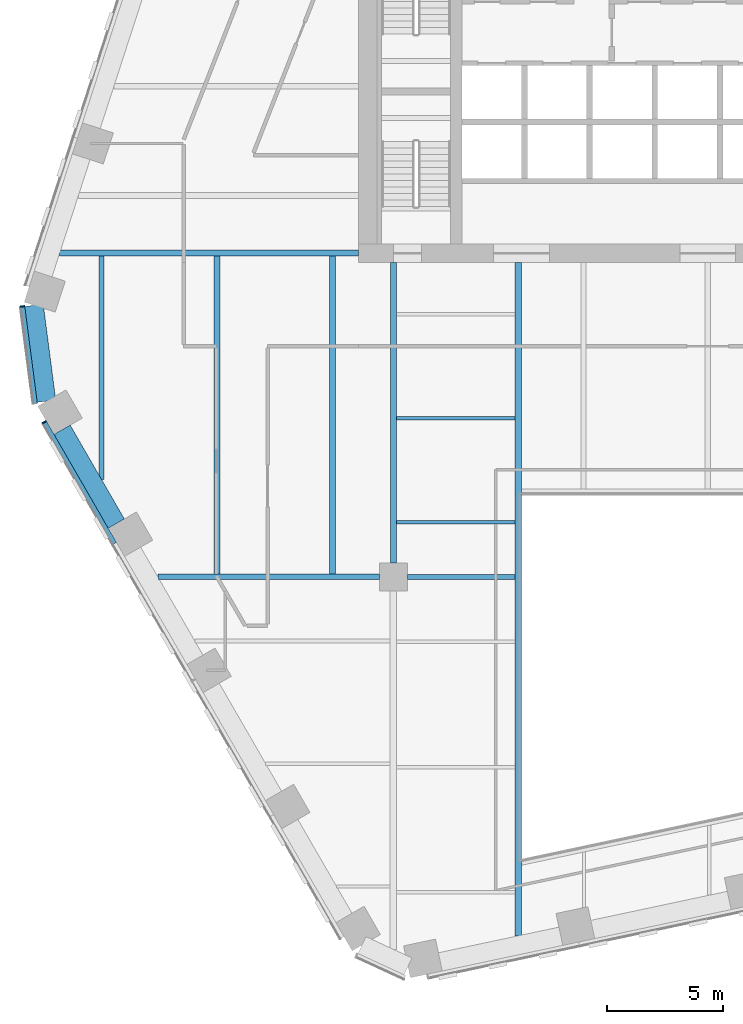
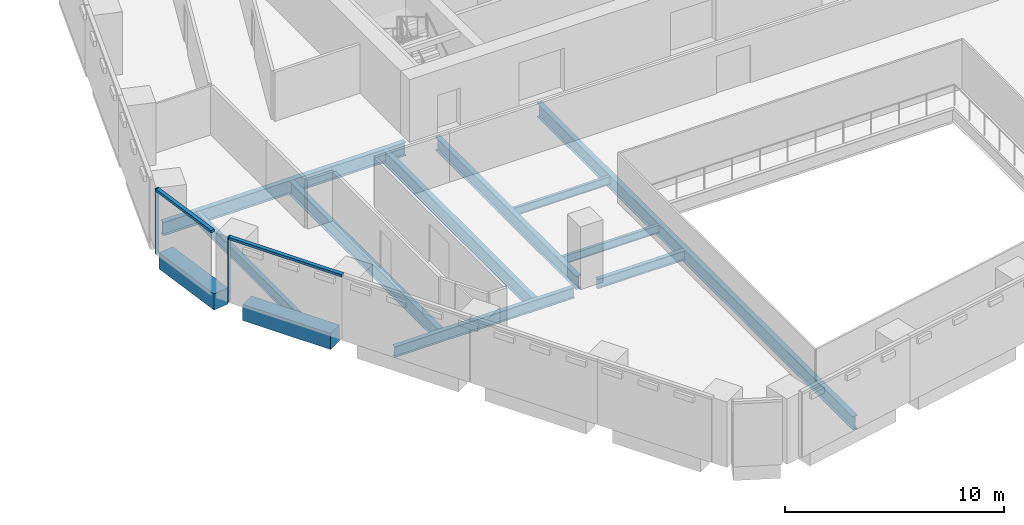
# One storey, part 3 of 17: 12 beams, 4 members, 2 elements without a shape of their own.
"""IFC4 building model written with IfcOpenShell, lengths in metres."""

from ifc_helpers import new_model, si_unit, direction, frame, origin, origin_2d, place, context, subcontext, project, spatial, rectangle, i_section, extrude, material, layer, layer_set, material_profile, profile_set, type_object, element, aggregate, save


model = new_model("IFC4")

# Units and contexts
model_context = context("Model", 3, precision=1e-05, world=origin(), true_north=direction((0.0, 1.0)))
body_context = subcontext(model_context, "Body", "Model", "MODEL_VIEW")
ifc_project = project(units=[si_unit("LENGTHUNIT", "METRE"), si_unit("AREAUNIT", "SQUARE_METRE"), si_unit("VOLUMEUNIT", "CUBIC_METRE"), si_unit("PLANEANGLEUNIT", "RADIAN"), si_unit("MASSUNIT", "GRAM", prefix="KILO")], contexts=[model_context])

# Site, building, storey
site_placement = place(None, origin())
site = spatial("IfcSite", under=ifc_project, at=site_placement, CompositionType="ELEMENT")
building_placement = place(site_placement, origin())
building = spatial("IfcBuilding", under=site, at=building_placement, Name="Isthmus Gate Tower", CompositionType="ELEMENT")
storey_placement = place(building_placement, frame((0.0, 0.0, 126.14990234375)))
storey = spatial("IfcBuildingStorey", under=building, at=storey_placement, Name="L30", CompositionType="ELEMENT", Elevation=126.14990234375)

# Curtain wall, member
ifc_material_1 = material(Name="Aluminium, pale champagne anodised", Category="aluminium")
ifc_layer = layer(ifc_material_1, 0.199951171875)
ifc_layer_set = layer_set([ifc_layer], Name="CW-1 UNITISED CURTAIN WALL 200 DEEP")
curtain_wall_type = type_object("IfcCurtainWallType", Name="CW-1 UNITISED CURTAIN WALL 200 DEEP", PredefinedType="NOTDEFINED", material=ifc_layer_set)
curtain_wall_1_placement = place(storey_placement, origin())
curtain_wall_1 = element("IfcCurtainWall", 1, at=curtain_wall_1_placement, inside=storey, type_object=curtain_wall_type, Name="CW-1 NW-SW L30", PredefinedType="NOTDEFINED")
ifc_material_2 = material(Name="Aluminium, pale champagne anodised", Category="aluminium")
ifc_material_profile_1 = material_profile(ifc_material_2, rectangle(XDim=0.06005859375, YDim=0.199951171875, at=origin_2d()), Name="60x200")
ifc_profile_set_1 = profile_set([ifc_material_profile_1], Name="Aluminium, pale champagne anodised")
member_type_1 = type_object("IfcMemberType", Name="CW-1 MULLION 60 X 200", PredefinedType="MULLION", material=ifc_profile_set_1)
member_1_placement = place(storey_placement, frame((-29.42724609375, -1.88525390625, 0.0), z_axis=(0.0, 0.0, 1.0), x_axis=(0.129164534, -0.991623175988, 0.0)))
member_1 = element("IfcMember", 2, at=member_1_placement, type_object=member_type_1, Name="CW-1 mullion", PredefinedType="MULLION", context=body_context, shape_type="SweptSolid", body=[
    extrude(rectangle(XDim=0.06005859375, YDim=0.199951171875, at=origin_2d()), origin(), (0.0, 0.0, 1.0), 3.650146484375),
])

curtain_wall_2_placement = place(storey_placement, origin())
curtain_wall_2 = element("IfcCurtainWall", 3, at=curtain_wall_2_placement, inside=storey, type_object=curtain_wall_type, Name="CW-1 SW L30", PredefinedType="NOTDEFINED")
member_2_placement = place(storey_placement, frame((-28.489501953125, -6.8544921875, 0.0), z_axis=(0.0, 0.0, 1.0), x_axis=(0.5, -0.866025403784, 0.0)))
member_2 = element("IfcMember", 4, at=member_2_placement, type_object=member_type_1, Name="CW-1 mullion", PredefinedType="MULLION", context=body_context, shape_type="SweptSolid", body=[
    extrude(rectangle(XDim=0.06005859375, YDim=0.199951171875, at=origin_2d()), origin(), (0.0, 0.0, 1.0), 3.650146484375),
])

# Member
ifc_material_3 = material(Name="Aluminium, pale champagne anodised", Category="aluminium")
ifc_material_profile_2 = material_profile(ifc_material_3, rectangle(XDim=0.199951171875, YDim=0.139892578125, at=origin_2d()), Name="200x140")
ifc_profile_set_2 = profile_set([ifc_material_profile_2], Name="Aluminium, pale champagne anodised")
member_type_2 = type_object("IfcMemberType", Name="CW-1 TRANSOM 200 X 140", PredefinedType="USERDEFINED", material=ifc_profile_set_2)
member_3_placement = place(storey_placement, frame((-29.42333984375, -1.9150390625, 3.580078125), z_axis=(0.129149481977, -0.991625136483, 0.0), x_axis=(0.991625136483, 0.129149481977, 0.0)))
member_3 = element("IfcMember", 5, at=member_3_placement, type_object=member_type_2, Name="CW-1 transom", ObjectType="TRANSOM", PredefinedType="USERDEFINED", context=body_context, shape_type="SweptSolid", body=[
    extrude(rectangle(XDim=0.199951171875, YDim=0.139892578125, at=origin_2d()), origin(), (0.0, 0.0, 1.0), 4.181396484375),
])

aggregate(curtain_wall_1, [member_1, member_3])

member_4_placement = place(storey_placement, frame((-28.474609375, -6.880615234375, 3.580078125), z_axis=(0.500014106551, -0.86601725921, 0.0), x_axis=(0.86601725921, 0.500014106551, 0.0)))
member_4 = element("IfcMember", 6, at=member_4_placement, type_object=member_type_2, Name="CW-1 transom", ObjectType="TRANSOM", PredefinedType="USERDEFINED", context=body_context, shape_type="SweptSolid", body=[
    extrude(rectangle(XDim=0.199951171875, YDim=0.139892578125, at=origin_2d()), origin(), (0.0, 0.0, 1.0), 5.989990234375),
])

aggregate(curtain_wall_2, [member_2, member_4])

# Beams
ifc_material_4 = material(Name="Concrete f'c 60 MPa", Category="concrete")
ifc_material_profile_3 = material_profile(ifc_material_4, rectangle(XDim=0.800048828125, YDim=0.89990234375, at=origin_2d()), Name="RC 800X900")
ifc_profile_set_3 = profile_set([ifc_material_profile_3], Name="Concrete f'c 60 MPa")
beam_type_1 = type_object("IfcBeamType", Name="RC SPANDREL 800 X 900", PredefinedType="SPANDREL", material=ifc_profile_set_3)
beam_1_placement = place(storey_placement, frame((-25.396484375, -11.2119140625, -0.449951171875), z_axis=(-0.500023913295, 0.866011596997, 0.0), x_axis=(-0.866011596997, -0.500023913295, 0.0)))
element("IfcBeam", 7, at=beam_1_placement, inside=storey, type_object=beam_type_1, Name="str-spandrel-L30-19", PredefinedType="SPANDREL", context=body_context, shape_type="SweptSolid", body=[
    extrude(rectangle(XDim=0.800048828125, YDim=0.89990234375, at=origin_2d()), origin(), (0.0, 0.0, 1.0), 4.650146484375),
])
beam_2_placement = place(storey_placement, frame((-28.392822265625, -5.955810546875, -0.449951171875), z_axis=(-0.129170777359, 0.991622362735, 0.0), x_axis=(-0.991622362735, -0.129170777359, 0.0)))
element("IfcBeam", 8, at=beam_2_placement, inside=storey, type_object=beam_type_1, Name="str-spandrel-L30-20", PredefinedType="SPANDREL", context=body_context, shape_type="SweptSolid", body=[
    extrude(rectangle(XDim=0.800048828125, YDim=0.89990234375, at=origin_2d()), origin(), (0.0, 0.0, 1.0), 4.15234375),
])
ifc_material_5 = material(Name="Structural steel ASTM A992 Gr 50", Category="steel")
ifc_material_profile_4 = material_profile(ifc_material_5, i_section(OverallWidth=0.15234375, OverallDepth=0.45068359375, WebThickness=0.0078125, FlangeThickness=0.010986328125, at=origin_2d()), Name="W18X35")
ifc_profile_set_4 = profile_set([ifc_material_profile_4], Name="Structural steel ASTM A992 Gr 50")
beam_type_2 = type_object("IfcBeamType", Name="STEEL FLOOR BEAM W18X35", PredefinedType="JOIST", material=ifc_profile_set_4)
for number, where, z_axis, x_axis, name in (
    (9, (-13.3681640625, -11.16259765625, -0.375244140625), (1.0, 0.0, 0.0), (0.0, 1.0, 0.0), "str-beam-L30-04-00"),
    (10, (-13.3681640625, -6.697509765625, -0.375244140625), (1.0, 0.0, 0.0), (0.0, 1.0, 0.0), "str-beam-L30-04-01"),
):
    element("IfcBeam", number, at=place(storey_placement, frame(where, z_axis=z_axis, x_axis=x_axis)), inside=storey, type_object=beam_type_2, Name=name, PredefinedType="JOIST", context=body_context, shape_type="SweptSolid", body=[
        extrude(i_section(OverallWidth=0.15234375, OverallDepth=0.45068359375, WebThickness=0.0078125, FlangeThickness=0.010986328125, at=origin_2d()), origin(), (0.0, 0.0, 1.0), 5.1015625),
    ])
ifc_material_6 = material(Name="Structural steel ASTM A992 Gr 50", Category="steel")
ifc_material_profile_5 = material_profile(ifc_material_6, i_section(OverallWidth=0.228515625, OverallDepth=0.603271484375, WebThickness=0.010986328125, FlangeThickness=0.014404296875, at=origin_2d()), Name="W24X68")
ifc_profile_set_5 = profile_set([ifc_material_profile_5], Name="Structural steel ASTM A992 Gr 50")
beam_type_3 = type_object("IfcBeamType", Name="STEEL FLOOR BEAM W24X68", PredefinedType="JOIST", material=ifc_profile_set_5)
beam_3_placement = place(storey_placement, frame((-26.028564453125, -9.317138671875, -0.451416015625), z_axis=(0.0, 1.0, 0.0), x_axis=(-1.0, 0.0, 0.0)))
element("IfcBeam", 11, at=beam_3_placement, inside=storey, type_object=beam_type_3, Name="str-beam-L30-00-00", PredefinedType="JOIST", context=body_context, shape_type="SweptSolid", body=[
    extrude(i_section(OverallWidth=0.228515625, OverallDepth=0.603271484375, WebThickness=0.010986328125, FlangeThickness=0.014404296875, at=origin_2d()), origin(), (0.0, 0.0, 1.0), 9.58544921875),
])
ifc_material_7 = material(Name="Structural steel ASTM A992 Gr 50", Category="steel")
ifc_material_profile_6 = material_profile(ifc_material_7, i_section(OverallWidth=0.263427734375, OverallDepth=0.749267578125, WebThickness=0.0126953125, FlangeThickness=0.015869140625, at=origin_2d()), Name="W30X90")
ifc_profile_set_6 = profile_set([ifc_material_profile_6], Name="Structural steel ASTM A992 Gr 50")
beam_type_4 = type_object("IfcBeamType", Name="STEEL FLOOR BEAM W30X90", PredefinedType="JOIST", material=ifc_profile_set_6)
for number, where, z_axis, x_axis, name in (
    (12, (-21.06982421875, -13.3857421875, -0.524658203125), (0.0, 1.0, 0.0), (-1.0, 0.0, 0.0), "str-beam-L30-00-01"),
    (13, (-16.111083984375, -13.3857421875, -0.524658203125), (0.0, 1.0, 0.0), (-1.0, 0.0, 0.0), "str-beam-L30-00-02"),
):
    element("IfcBeam", number, at=place(storey_placement, frame(where, z_axis=z_axis, x_axis=x_axis)), inside=storey, type_object=beam_type_4, Name=name, PredefinedType="JOIST", context=body_context, shape_type="SweptSolid", body=[
        extrude(i_section(OverallWidth=0.263427734375, OverallDepth=0.749267578125, WebThickness=0.0126953125, FlangeThickness=0.015869140625, at=origin_2d()), origin(), (0.0, 0.0, 1.0), 13.654052734375),
    ])
ifc_material_8 = material(Name="Structural steel ASTM A992 Gr 50", Category="steel")
ifc_material_profile_7 = material_profile(ifc_material_8, i_section(OverallWidth=0.20947265625, OverallDepth=0.533447265625, WebThickness=0.009521484375, FlangeThickness=0.015869140625, at=origin_2d()), Name="W21X62")
ifc_profile_set_7 = profile_set([ifc_material_profile_7], Name="Structural steel ASTM A992 Gr 50")
beam_type_5 = type_object("IfcBeamType", Name="STEEL GIRDER W21X62", PredefinedType="BEAM", material=ifc_profile_set_7)
beam_4_placement = place(storey_placement, frame((-12.89990234375, -13.5, -0.41650390625), z_axis=(1.0, 0.0, 0.0), x_axis=(0.0, 1.0, 0.0)))
element("IfcBeam", 14, at=beam_4_placement, inside=storey, type_object=beam_type_5, Name="str-girder-L30-02", PredefinedType="BEAM", context=body_context, shape_type="SweptSolid", body=[
    extrude(i_section(OverallWidth=0.20947265625, OverallDepth=0.533447265625, WebThickness=0.009521484375, FlangeThickness=0.015869140625, at=origin_2d()), origin(), (0.0, 0.0, 1.0), 4.63330078125),
])
ifc_material_9 = material(Name="Structural steel ASTM A992 Gr 50", Category="steel")
ifc_material_profile_8 = material_profile(ifc_material_9, i_section(OverallWidth=0.228515625, OverallDepth=0.6064453125, WebThickness=0.010986328125, FlangeThickness=0.017578125, at=origin_2d()), Name="W24X76")
ifc_profile_set_8 = profile_set([ifc_material_profile_8], Name="Structural steel ASTM A992 Gr 50")
beam_type_6 = type_object("IfcBeamType", Name="STEEL GIRDER W24X76", PredefinedType="BEAM", material=ifc_profile_set_8)
beam_5_placement = place(storey_placement, frame((-23.613525390625, -13.5, -0.453125), z_axis=(1.0, 0.0, 0.0), x_axis=(0.0, 1.0, 0.0)))
element("IfcBeam", 15, at=beam_5_placement, inside=storey, type_object=beam_type_6, Name="str-girder-L30-01", PredefinedType="BEAM", context=body_context, shape_type="SweptSolid", body=[
    extrude(i_section(OverallWidth=0.228515625, OverallDepth=0.6064453125, WebThickness=0.010986328125, FlangeThickness=0.017578125, at=origin_2d()), origin(), (0.0, 0.0, 1.0), 9.513427734375),
])
ifc_material_10 = material(Name="Structural steel ASTM A992 Gr 50", Category="steel")
ifc_material_profile_9 = material_profile(ifc_material_10, i_section(OverallWidth=0.263427734375, OverallDepth=0.749267578125, WebThickness=0.0126953125, FlangeThickness=0.015869140625, at=origin_2d()), Name="W30X90")
ifc_profile_set_9 = profile_set([ifc_material_profile_9], Name="Structural steel ASTM A992 Gr 50")
beam_type_7 = type_object("IfcBeamType", Name="STEEL GIRDER W30X90", PredefinedType="BEAM", material=ifc_profile_set_9)
beam_6_placement = place(storey_placement, frame((-13.5, -12.89990234375, -0.524658203125), z_axis=(0.0, 1.0, 0.0), x_axis=(-1.0, 0.0, 0.0)))
element("IfcBeam", 16, at=beam_6_placement, inside=storey, type_object=beam_type_7, Name="str-girder-L30-08", PredefinedType="BEAM", context=body_context, shape_type="SweptSolid", body=[
    extrude(i_section(OverallWidth=0.263427734375, OverallDepth=0.749267578125, WebThickness=0.0126953125, FlangeThickness=0.015869140625, at=origin_2d()), origin(), (0.0, 0.0, 1.0), 12.89990234375),
])
beam_7_placement = place(storey_placement, frame((-15.0, 0.39990234375, -0.524658203125), z_axis=(-1.0, 0.0, 0.0), x_axis=(0.0, -1.0, 0.0)))
element("IfcBeam", 17, at=beam_7_placement, inside=storey, type_object=beam_type_7, Name="str-girder-L30-13", PredefinedType="BEAM", context=body_context, shape_type="SweptSolid", body=[
    extrude(i_section(OverallWidth=0.263427734375, OverallDepth=0.749267578125, WebThickness=0.0126953125, FlangeThickness=0.015869140625, at=origin_2d()), origin(), (0.0, 0.0, 1.0), 12.826416015625),
])
ifc_material_11 = material(Name="Structural steel ASTM A992 Gr 50", Category="steel")
ifc_material_profile_10 = material_profile(ifc_material_11, i_section(OverallWidth=0.2666015625, OverallDepth=0.7587890625, WebThickness=0.014404296875, FlangeThickness=0.01904296875, at=origin_2d()), Name="W30X108")
ifc_profile_set_10 = profile_set([ifc_material_profile_10], Name="Structural steel ASTM A992 Gr 50")
beam_type_8 = type_object("IfcBeamType", Name="STEEL TRIMMER W30X108", PredefinedType="BEAM", material=ifc_profile_set_10)
beam_8_placement = place(storey_placement, frame((-8.13330078125, 0.0, -0.529296875), z_axis=(0.0, -1.0, 0.0), x_axis=(1.0, 0.0, 0.0)))
element("IfcBeam", 18, at=beam_8_placement, inside=storey, type_object=beam_type_8, Name="str-trimmer-L30-02", PredefinedType="BEAM", context=body_context, shape_type="SweptSolid", body=[
    extrude(i_section(OverallWidth=0.2666015625, OverallDepth=0.7587890625, WebThickness=0.014404296875, FlangeThickness=0.01904296875, at=origin_2d()), origin(), (0.0, 0.0, 1.0), 28.910888671875),
])

save(model, "model.ifc")
